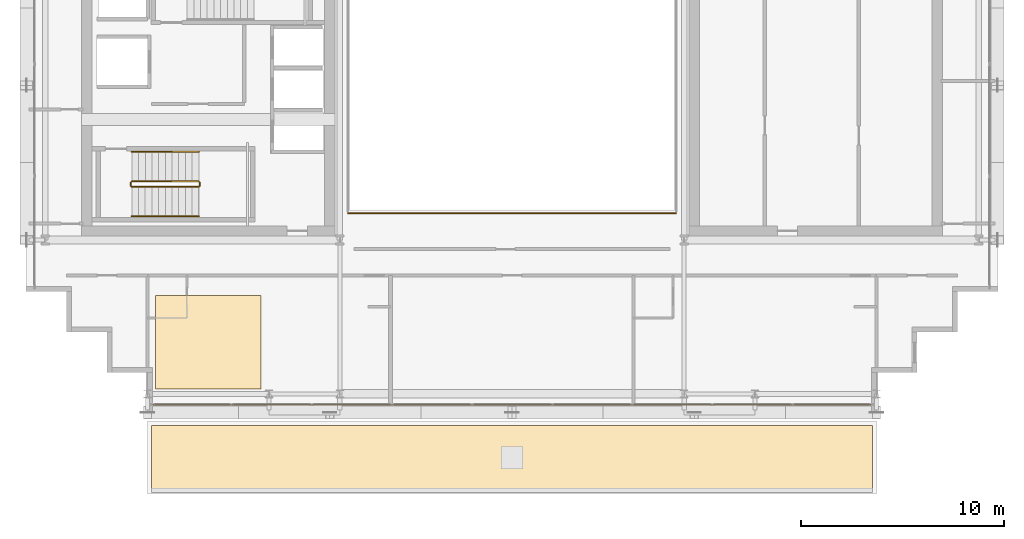
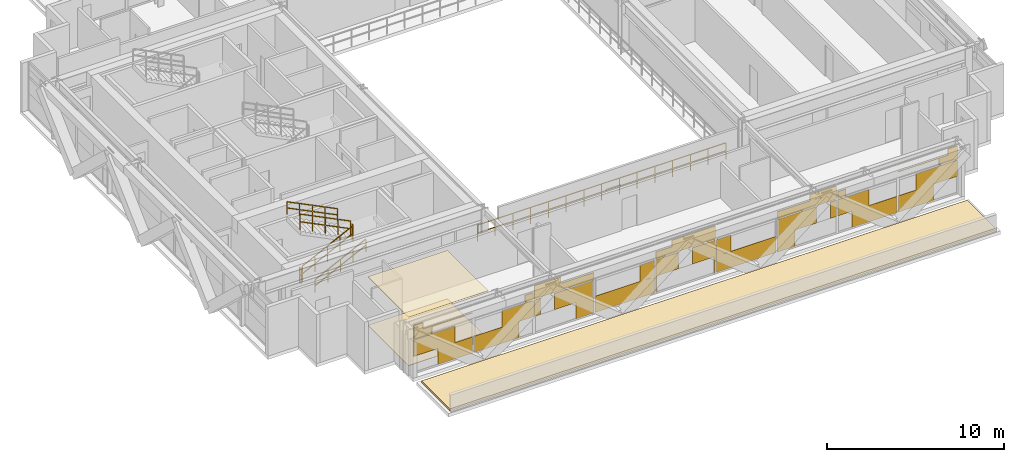
# One storey, part 31 of 34: 7 railings, 4 coverings.
"""IFC4 building model written with IfcOpenShell, lengths in metres."""

from ifc_helpers import new_model, si_unit, direction, frame, origin, origin_2d, place, context, subcontext, project, spatial, polyline, rectangle, outline, extrude, material, layer, layer_set, type_object, element, save


model = new_model("IFC4")

# Units and contexts
model_context = context("Model", 3, precision=1e-05, world=origin(), true_north=direction((0.0, 1.0)))
body_context = subcontext(model_context, "Body", "Model", "MODEL_VIEW")
ifc_project = project(units=[si_unit("LENGTHUNIT", "METRE"), si_unit("AREAUNIT", "SQUARE_METRE"), si_unit("VOLUMEUNIT", "CUBIC_METRE"), si_unit("PLANEANGLEUNIT", "RADIAN"), si_unit("MASSUNIT", "GRAM", prefix="KILO")], contexts=[model_context])

# Site, building, storey
site_placement = place(None, origin())
site = spatial("IfcSite", under=ifc_project, at=site_placement, CompositionType="ELEMENT")
building_placement = place(site_placement, origin())
building = spatial("IfcBuilding", under=site, at=building_placement, Name="Ocotamira Hotel", CompositionType="ELEMENT")
storey_placement = place(building_placement, frame((0.0, 0.0, 163.199951171875)))
storey = spatial("IfcBuildingStorey", under=building, at=storey_placement, Name="L40", CompositionType="ELEMENT", Elevation=163.199951171875)

# Coverings
ifc_material_1 = material(Name="Perforated acoustic gypsum ceiling board", Category="gypsum")
ifc_layer_1 = layer(ifc_material_1, 0.02490234375)
ifc_layer_set_1 = layer_set([ifc_layer_1], Name="Perforated acoustic gypsum ceiling board")
covering_type_1 = type_object("IfcCoveringType", Name="COV-CEIL-25", PredefinedType="CEILING", material=ifc_layer_set_1)
covering_1_placement = place(storey_placement, frame((0.0, 0.0, 3.344970703125)))
element("IfcCovering", 1, at=covering_1_placement, inside=storey, type_object=covering_type_1, Name="L40 Acoustic Ceiling", PredefinedType="CEILING", context=body_context, shape_type="SweptSolid", body=[
    extrude(outline(polyline([(14.39990234375, 7.199951171875), (19.60009765625, 7.199951171875), (19.60009765625, 11.800048828125), (14.39990234375, 11.800048828125), (14.39990234375, 7.199951171875)])), origin(), (0.0, 0.0, 1.0), 0.025146484375),
])
ifc_material_2 = material(Name="Honed desert travertine stone flooring", Category="masonry")
ifc_layer_2 = layer(ifc_material_2, 0.030029296875)
ifc_layer_set_2 = layer_set([ifc_layer_2], Name="Honed desert travertine stone flooring")
covering_type_2 = type_object("IfcCoveringType", Name="COV-FLOR-30", PredefinedType="FLOORING", material=ifc_layer_set_2)
covering_2_placement = place(storey_placement, origin())
element("IfcCovering", 2, at=covering_2_placement, inside=storey, type_object=covering_type_2, Name="L40 Honed Stone Floor Finish", PredefinedType="FLOORING", context=body_context, shape_type="SweptSolid", body=[
    extrude(outline(polyline([(14.39990234375, 7.199951171875), (19.60009765625, 7.199951171875), (19.60009765625, 11.800048828125), (14.39990234375, 11.800048828125), (14.39990234375, 7.199951171875)])), origin(), (0.0, 0.0, 1.0), 0.030029296875),
])
ifc_material_3 = material(Name="Insulated pale-metal aluminium spandrel panel", Category="aluminium")
ifc_layer_3 = layer(ifc_material_3, 0.044921875)
ifc_layer_set_3 = layer_set([ifc_layer_3], Name="Insulated pale-metal aluminium spandrel panel")
covering_type_3 = type_object("IfcCoveringType", Name="COV-INFILL-45", PredefinedType="CLADDING", material=ifc_layer_set_3)
covering_3_placement = place(storey_placement, origin())
element("IfcCovering", 3, at=covering_3_placement, inside=storey, type_object=covering_type_3, Name="L40 Curtain Wall Infill CW-4 CW-L40-S1", PredefinedType="CLADDING", context=body_context, shape_type="SweptSolid", body=[
    extrude(rectangle(XDim=2.68701171875, YDim=0.044921875, at=origin_2d()), frame((15.6240234375, 6.419921875, 1.1943359375), z_axis=(0.0, 0.0, 1.0), x_axis=(1.0, 0.0, 0.0)), (0.0, 0.0, 1.0), 1.11767578125),
    extrude(rectangle(XDim=2.26708984375, YDim=0.044921875, at=origin_2d()), frame((16.9814453125, 6.419921875, 0.07568359375), z_axis=(0.0, 0.0, 1.0), x_axis=(1.0, 0.0, 0.0)), (0.0, 0.0, 1.0), 1.117919921875),
    extrude(rectangle(XDim=1.19482421875, YDim=0.044921875, at=origin_2d()), frame((14.8779296875, 6.419921875, 2.38818359375), z_axis=(0.0, 0.0, 1.0), x_axis=(1.0, 0.0, 0.0)), (0.0, 0.0, 1.0), 0.442626953125),
    extrude(rectangle(XDim=3.834716796875, YDim=0.044921875, at=origin_2d()), frame((16.19775390625, 6.419921875, 2.83154296875), z_axis=(0.0, 0.0, 1.0), x_axis=(1.0, 0.0, 0.0)), (0.0, 0.0, 1.0), 0.0302734375),
    extrude(rectangle(XDim=0.601318359375, YDim=0.044921875, at=origin_2d()), frame((14.581298828125, 6.419921875, 2.863037109375), z_axis=(0.0, 0.0, 1.0), x_axis=(1.0, 0.0, 0.0)), (0.0, 0.0, 1.0), 0.431640625),
    extrude(rectangle(XDim=2.955810546875, YDim=0.044921875, at=origin_2d()), frame((19.674072265625, 6.419921875, 0.07568359375), z_axis=(0.0, 0.0, 1.0), x_axis=(1.0, 0.0, 0.0)), (0.0, 0.0, 1.0), 1.117919921875),
    extrude(rectangle(XDim=2.0380859375, YDim=0.044921875, at=origin_2d()), frame((21.051513671875, 6.419921875, 1.1943359375), z_axis=(0.0, 0.0, 1.0), x_axis=(1.0, 0.0, 0.0)), (0.0, 0.0, 1.0), 1.11767578125),
    extrude(rectangle(XDim=0.5458984375, YDim=0.044921875, at=origin_2d()), frame((21.797607421875, 6.419921875, 2.38818359375), z_axis=(0.0, 0.0, 1.0), x_axis=(1.0, 0.0, 0.0)), (0.0, 0.0, 1.0), 0.473876953125),
    extrude(rectangle(XDim=0.398681640625, YDim=0.044921875, at=origin_2d()), frame((22.35107421875, 6.419921875, 1.1943359375), z_axis=(0.0, 0.0, 1.0), x_axis=(1.0, 0.0, 0.0)), (0.0, 0.0, 1.0), 1.11767578125),
    extrude(rectangle(XDim=2.57666015625, YDim=0.044921875, at=origin_2d()), frame((24.73779296875, 6.419921875, 1.1943359375), z_axis=(0.0, 0.0, 1.0), x_axis=(1.0, 0.0, 0.0)), (0.0, 0.0, 1.0), 1.11767578125),
    extrude(rectangle(XDim=1.177978515625, YDim=0.044921875, at=origin_2d()), frame((25.43701171875, 6.419921875, 0.07568359375), z_axis=(0.0, 0.0, 1.0), x_axis=(1.0, 0.0, 0.0)), (0.0, 0.0, 1.0), 1.117919921875),
    extrude(rectangle(XDim=3.87451171875, YDim=0.044921875, at=origin_2d()), frame((24.0888671875, 6.419921875, 2.38818359375), z_axis=(0.0, 0.0, 1.0), x_axis=(1.0, 0.0, 0.0)), (0.0, 0.0, 1.0), 0.473876953125),
    extrude(rectangle(XDim=1.730224609375, YDim=0.044921875, at=origin_2d()), frame((23.0166015625, 6.419921875, 2.863037109375), z_axis=(0.0, 0.0, 1.0), x_axis=(1.0, 0.0, 0.0)), (0.0, 0.0, 1.0), 0.431640625),
    extrude(rectangle(XDim=3.87451171875, YDim=0.044921875, at=origin_2d()), frame((28.04443359375, 6.419921875, 0.07568359375), z_axis=(0.0, 0.0, 1.0), x_axis=(1.0, 0.0, 0.0)), (0.0, 0.0, 1.0), 1.117919921875),
    extrude(rectangle(XDim=0.94921875, YDim=0.044921875, at=origin_2d()), frame((29.507080078125, 6.419921875, 1.1943359375), z_axis=(0.0, 0.0, 1.0), x_axis=(1.0, 0.0, 0.0)), (0.0, 0.0, 1.0), 1.11767578125),
    extrude(rectangle(XDim=0.089111328125, YDim=0.044921875, at=origin_2d()), frame((30.107421875, 6.419921875, 0.07568359375), z_axis=(0.0, 0.0, 1.0), x_axis=(1.0, 0.0, 0.0)), (0.0, 0.0, 1.0), 1.117919921875),
    extrude(rectangle(XDim=1.48779296875, YDim=0.044921875, at=origin_2d()), frame((30.806640625, 6.419921875, 1.1943359375), z_axis=(0.0, 0.0, 1.0), x_axis=(1.0, 0.0, 0.0)), (0.0, 0.0, 1.0), 1.11767578125),
    extrude(rectangle(XDim=1.48779296875, YDim=0.044921875, at=origin_2d()), frame((33.193359375, 6.419921875, 1.1943359375), z_axis=(0.0, 0.0, 1.0), x_axis=(1.0, 0.0, 0.0)), (0.0, 0.0, 1.0), 1.11767578125),
    extrude(rectangle(XDim=0.089111328125, YDim=0.044921875, at=origin_2d()), frame((33.892578125, 6.419921875, 0.07568359375), z_axis=(0.0, 0.0, 1.0), x_axis=(1.0, 0.0, 0.0)), (0.0, 0.0, 1.0), 1.117919921875),
    extrude(rectangle(XDim=3.87451171875, YDim=0.044921875, at=origin_2d()), frame((32.0, 6.419921875, 2.38818359375), z_axis=(0.0, 0.0, 1.0), x_axis=(1.0, 0.0, 0.0)), (0.0, 0.0, 1.0), 0.473876953125),
    extrude(rectangle(XDim=2.819091796875, YDim=0.044921875, at=origin_2d()), frame((32.527587890625, 6.419921875, 2.863037109375), z_axis=(0.0, 0.0, 1.0), x_axis=(1.0, 0.0, 0.0)), (0.0, 0.0, 1.0), 0.431640625),
    extrude(rectangle(XDim=3.87451171875, YDim=0.044921875, at=origin_2d()), frame((35.95556640625, 6.419921875, 0.07568359375), z_axis=(0.0, 0.0, 1.0), x_axis=(1.0, 0.0, 0.0)), (0.0, 0.0, 1.0), 1.117919921875),
    extrude(rectangle(XDim=0.94921875, YDim=0.044921875, at=origin_2d()), frame((34.492919921875, 6.419921875, 1.1943359375), z_axis=(0.0, 0.0, 1.0), x_axis=(1.0, 0.0, 0.0)), (0.0, 0.0, 1.0), 1.11767578125),
    extrude(rectangle(XDim=1.177978515625, YDim=0.044921875, at=origin_2d()), frame((38.56298828125, 6.419921875, 0.07568359375), z_axis=(0.0, 0.0, 1.0), x_axis=(1.0, 0.0, 0.0)), (0.0, 0.0, 1.0), 1.117919921875),
    extrude(rectangle(XDim=2.57666015625, YDim=0.044921875, at=origin_2d()), frame((39.26220703125, 6.419921875, 1.1943359375), z_axis=(0.0, 0.0, 1.0), x_axis=(1.0, 0.0, 0.0)), (0.0, 0.0, 1.0), 1.11767578125),
    extrude(rectangle(XDim=0.398681640625, YDim=0.044921875, at=origin_2d()), frame((41.64892578125, 6.419921875, 1.1943359375), z_axis=(0.0, 0.0, 1.0), x_axis=(1.0, 0.0, 0.0)), (0.0, 0.0, 1.0), 1.11767578125),
    extrude(rectangle(XDim=3.87451171875, YDim=0.044921875, at=origin_2d()), frame((39.9111328125, 6.419921875, 2.38818359375), z_axis=(0.0, 0.0, 1.0), x_axis=(1.0, 0.0, 0.0)), (0.0, 0.0, 1.0), 0.473876953125),
    extrude(rectangle(XDim=1.730224609375, YDim=0.044921875, at=origin_2d()), frame((40.9833984375, 6.419921875, 2.863037109375), z_axis=(0.0, 0.0, 1.0), x_axis=(1.0, 0.0, 0.0)), (0.0, 0.0, 1.0), 0.431640625),
    extrude(rectangle(XDim=2.0380859375, YDim=0.044921875, at=origin_2d()), frame((42.948486328125, 6.419921875, 1.1943359375), z_axis=(0.0, 0.0, 1.0), x_axis=(1.0, 0.0, 0.0)), (0.0, 0.0, 1.0), 1.11767578125),
    extrude(rectangle(XDim=2.955810546875, YDim=0.044921875, at=origin_2d()), frame((44.325927734375, 6.419921875, 0.07568359375), z_axis=(0.0, 0.0, 1.0), x_axis=(1.0, 0.0, 0.0)), (0.0, 0.0, 1.0), 1.117919921875),
    extrude(rectangle(XDim=0.5458984375, YDim=0.044921875, at=origin_2d()), frame((42.202392578125, 6.419921875, 2.38818359375), z_axis=(0.0, 0.0, 1.0), x_axis=(1.0, 0.0, 0.0)), (0.0, 0.0, 1.0), 0.473876953125),
    extrude(rectangle(XDim=2.26708984375, YDim=0.044921875, at=origin_2d()), frame((47.0185546875, 6.419921875, 0.07568359375), z_axis=(0.0, 0.0, 1.0), x_axis=(1.0, 0.0, 0.0)), (0.0, 0.0, 1.0), 1.117919921875),
    extrude(rectangle(XDim=2.68701171875, YDim=0.044921875, at=origin_2d()), frame((48.3759765625, 6.419921875, 1.1943359375), z_axis=(0.0, 0.0, 1.0), x_axis=(1.0, 0.0, 0.0)), (0.0, 0.0, 1.0), 1.11767578125),
    extrude(rectangle(XDim=3.834716796875, YDim=0.044921875, at=origin_2d()), frame((47.80224609375, 6.419921875, 2.83154296875), z_axis=(0.0, 0.0, 1.0), x_axis=(1.0, 0.0, 0.0)), (0.0, 0.0, 1.0), 0.0302734375),
    extrude(rectangle(XDim=1.19482421875, YDim=0.044921875, at=origin_2d()), frame((49.1220703125, 6.419921875, 2.38818359375), z_axis=(0.0, 0.0, 1.0), x_axis=(1.0, 0.0, 0.0)), (0.0, 0.0, 1.0), 0.442626953125),
    extrude(rectangle(XDim=0.601318359375, YDim=0.044921875, at=origin_2d()), frame((49.418701171875, 6.419921875, 2.863037109375), z_axis=(0.0, 0.0, 1.0), x_axis=(1.0, 0.0, 0.0)), (0.0, 0.0, 1.0), 0.431640625),
])
ifc_material_4 = material(Name="High-albedo cool-roof elastomeric membrane and polyiso insulation", Category="concrete")
ifc_layer_4 = layer(ifc_material_4, 0.139892578125)
ifc_layer_set_4 = layer_set([ifc_layer_4], Name="High-albedo cool-roof elastomeric membrane and polyiso insulation")
covering_type_4 = type_object("IfcCoveringType", Name="COV-ROOF-140", PredefinedType="ROOFING", material=ifc_layer_set_4)
covering_4_placement = place(storey_placement, origin())
element("IfcCovering", 4, at=covering_4_placement, inside=storey, type_object=covering_type_4, Name="L40 Cool-Roof Membrane Z3S", PredefinedType="ROOFING", context=body_context, shape_type="SweptSolid", body=[
    extrude(outline(polyline([(14.199951171875, 2.199951171875), (49.800048828125, 2.199951171875), (49.800048828125, 5.39990234375), (14.199951171875, 5.39990234375), (14.199951171875, 2.199951171875)])), origin(), (0.0, 0.0, 1.0), 0.14013671875),
])

# Railings
ifc_material_5 = material(Name="Painted steel stair guardrail", Category="steel")
railing_type_1 = type_object("IfcRailingType", Name="RL-EDGE-1150", PredefinedType="GUARDRAIL", material=ifc_material_5)
railing_1_placement = place(storey_placement, frame((23.89990234375, 15.8798828125, 0.0)))
element("IfcRailing", 5, at=railing_1_placement, inside=storey, type_object=railing_type_1, Name="L40 Central Atrium Edge Guardrail S", PredefinedType="GUARDRAIL", context=body_context, shape_type="SweptSolid", body=[
    extrude(rectangle(XDim=0.048095703125, YDim=0.048095703125, at=origin_2d()), frame((0.0, 0.0, 1.1259765625), z_axis=(1.0, 0.0, 0.0), x_axis=(0.0, 1.0, 0.0)), (0.0, 0.0, 1.0), 16.2001953125),
    extrude(rectangle(XDim=0.048095703125, YDim=0.048095703125, at=origin_2d()), frame((0.0, 0.0, 0.574951171875), z_axis=(1.0, 0.0, 0.0), x_axis=(0.0, 1.0, 0.0)), (0.0, 0.0, 1.0), 16.2001953125),
    extrude(rectangle(XDim=0.0419921875, YDim=0.0419921875, at=origin_2d()), origin(), (0.0, 0.0, 1.0), 1.101806640625),
    extrude(rectangle(XDim=0.0419921875, YDim=0.0419921875, at=origin_2d()), frame((1.1572265625, 0.0, 0.0)), (0.0, 0.0, 1.0), 1.101806640625),
    extrude(rectangle(XDim=0.0419921875, YDim=0.0419921875, at=origin_2d()), frame((2.314208984375, 0.0, 0.0)), (0.0, 0.0, 1.0), 1.101806640625),
    extrude(rectangle(XDim=0.0419921875, YDim=0.0419921875, at=origin_2d()), frame((3.471435546875, 0.0, 0.0)), (0.0, 0.0, 1.0), 1.101806640625),
    extrude(rectangle(XDim=0.0419921875, YDim=0.0419921875, at=origin_2d()), frame((4.628662109375, 0.0, 0.0)), (0.0, 0.0, 1.0), 1.101806640625),
    extrude(rectangle(XDim=0.0419921875, YDim=0.0419921875, at=origin_2d()), frame((5.785888671875, 0.0, 0.0)), (0.0, 0.0, 1.0), 1.101806640625),
    extrude(rectangle(XDim=0.0419921875, YDim=0.0419921875, at=origin_2d()), frame((6.94287109375, 0.0, 0.0)), (0.0, 0.0, 1.0), 1.101806640625),
    extrude(rectangle(XDim=0.0419921875, YDim=0.0419921875, at=origin_2d()), frame((8.10009765625, 0.0, 0.0)), (0.0, 0.0, 1.0), 1.101806640625),
    extrude(rectangle(XDim=0.0419921875, YDim=0.0419921875, at=origin_2d()), frame((9.25732421875, 0.0, 0.0)), (0.0, 0.0, 1.0), 1.101806640625),
    extrude(rectangle(XDim=0.0419921875, YDim=0.0419921875, at=origin_2d()), frame((10.414306640625, 0.0, 0.0)), (0.0, 0.0, 1.0), 1.101806640625),
    extrude(rectangle(XDim=0.0419921875, YDim=0.0419921875, at=origin_2d()), frame((11.571533203125, 0.0, 0.0)), (0.0, 0.0, 1.0), 1.101806640625),
    extrude(rectangle(XDim=0.0419921875, YDim=0.0419921875, at=origin_2d()), frame((12.728759765625, 0.0, 0.0)), (0.0, 0.0, 1.0), 1.101806640625),
    extrude(rectangle(XDim=0.0419921875, YDim=0.0419921875, at=origin_2d()), frame((13.885986328125, 0.0, 0.0)), (0.0, 0.0, 1.0), 1.101806640625),
    extrude(rectangle(XDim=0.0419921875, YDim=0.0419921875, at=origin_2d()), frame((15.04296875, 0.0, 0.0)), (0.0, 0.0, 1.0), 1.101806640625),
    extrude(rectangle(XDim=0.0419921875, YDim=0.0419921875, at=origin_2d()), frame((16.2001953125, 0.0, 0.0)), (0.0, 0.0, 1.0), 1.101806640625),
])
ifc_material_6 = material(Name="Brushed stainless steel handrail", Category="steel")
railing_type_2 = type_object("IfcRailingType", Name="RL-HAND-900", PredefinedType="HANDRAIL", material=ifc_material_6)
railing_2_placement = place(storey_placement, frame((13.22998046875, 15.719970703125, 0.327392578125)))
element("IfcRailing", 6, at=railing_2_placement, inside=storey, type_object=railing_type_2, Name="L40 ST-1 stair handrail 1", PredefinedType="HANDRAIL", context=body_context, shape_type="SweptSolid", body=[
    extrude(rectangle(XDim=0.048095703125, YDim=0.048095703125, at=origin_2d()), frame((0.0, 0.0, 0.8759765625), z_axis=(0.895920123917, 0.0, 0.444215186098), x_axis=(0.0, 1.0, 0.0)), (0.0, 0.0, 1.0), 3.683349609375),
    extrude(rectangle(XDim=0.048095703125, YDim=0.048095703125, at=origin_2d()), frame((0.0, 0.0, 0.449951171875), z_axis=(0.895920123917, 0.0, 0.444215186098), x_axis=(0.0, 1.0, 0.0)), (0.0, 0.0, 1.0), 3.683349609375),
    extrude(rectangle(XDim=0.0419921875, YDim=0.0419921875, at=origin_2d()), origin(), (0.0, 0.0, 1.0), 0.851806640625),
    extrude(rectangle(XDim=0.0419921875, YDim=0.0419921875, at=origin_2d()), frame((0.824951171875, 0.0, 0.4091796875)), (0.0, 0.0, 1.0), 0.851806640625),
    extrude(rectangle(XDim=0.0419921875, YDim=0.0419921875, at=origin_2d()), frame((1.64990234375, 0.0, 0.818115234375)), (0.0, 0.0, 1.0), 0.851806640625),
    extrude(rectangle(XDim=0.0419921875, YDim=0.0419921875, at=origin_2d()), frame((2.47509765625, 0.0, 1.22705078125)), (0.0, 0.0, 1.0), 0.851806640625),
    extrude(rectangle(XDim=0.0419921875, YDim=0.0419921875, at=origin_2d()), frame((3.300048828125, 0.0, 1.63623046875)), (0.0, 0.0, 1.0), 0.851806640625),
])
railing_3_placement = place(storey_placement, frame((16.530029296875, 18.89990234375, 2.12744140625)))
element("IfcRailing", 7, at=railing_3_placement, inside=storey, type_object=railing_type_2, Name="L40 ST-1 stair handrail 2", PredefinedType="HANDRAIL", context=body_context, shape_type="SweptSolid", body=[
    extrude(rectangle(XDim=0.048095703125, YDim=0.048095703125, at=origin_2d()), frame((0.0, 0.0, 0.8759765625), z_axis=(-0.895920123917, 0.0, 0.444215186098), x_axis=(0.0, -1.0, 0.0)), (0.0, 0.0, 1.0), 3.683349609375),
    extrude(rectangle(XDim=0.048095703125, YDim=0.048095703125, at=origin_2d()), frame((0.0, 0.0, 0.449951171875), z_axis=(-0.895920123917, 0.0, 0.444215186098), x_axis=(0.0, -1.0, 0.0)), (0.0, 0.0, 1.0), 3.683349609375),
    extrude(rectangle(XDim=0.0419921875, YDim=0.0419921875, at=origin_2d()), origin(), (0.0, 0.0, 1.0), 0.851806640625),
    extrude(rectangle(XDim=0.0419921875, YDim=0.0419921875, at=origin_2d()), frame((-0.824951171875, 0.0, 0.4091796875)), (0.0, 0.0, 1.0), 0.851806640625),
    extrude(rectangle(XDim=0.0419921875, YDim=0.0419921875, at=origin_2d()), frame((-1.64990234375, 0.0, 0.818115234375)), (0.0, 0.0, 1.0), 0.851806640625),
    extrude(rectangle(XDim=0.0419921875, YDim=0.0419921875, at=origin_2d()), frame((-2.47509765625, 0.0, 1.22705078125)), (0.0, 0.0, 1.0), 0.851806640625),
    extrude(rectangle(XDim=0.0419921875, YDim=0.0419921875, at=origin_2d()), frame((-3.300048828125, 0.0, 1.63623046875)), (0.0, 0.0, 1.0), 0.851806640625),
])
railing_type_3 = type_object("IfcRailingType", Name="RL-STAIR-1100", PredefinedType="GUARDRAIL", material=ifc_material_5)
railing_4_placement = place(storey_placement, frame((13.22998046875, 17.179931640625, 0.16357421875)))
element("IfcRailing", 8, at=railing_4_placement, inside=storey, type_object=railing_type_3, Name="L40 ST-1 stair guard 1", PredefinedType="GUARDRAIL", context=body_context, shape_type="SweptSolid", body=[
    extrude(rectangle(XDim=0.048095703125, YDim=0.048095703125, at=origin_2d()), frame((0.0, 0.0, 1.076171875), z_axis=(0.895893744519, 0.0, 0.4442683857), x_axis=(0.0, 1.0, 0.0)), (0.0, 0.0, 1.0), 3.68359375),
    extrude(rectangle(XDim=0.048095703125, YDim=0.048095703125, at=origin_2d()), frame((0.0, 0.0, 0.550048828125), z_axis=(0.895893744519, 0.0, 0.4442683857), x_axis=(0.0, 1.0, 0.0)), (0.0, 0.0, 1.0), 3.68359375),
    extrude(rectangle(XDim=0.0419921875, YDim=0.0419921875, at=origin_2d()), origin(), (0.0, 0.0, 1.0), 1.052001953125),
    extrude(rectangle(XDim=0.0419921875, YDim=0.0419921875, at=origin_2d()), frame((0.824951171875, 0.0, 0.4091796875)), (0.0, 0.0, 1.0), 1.052001953125),
    extrude(rectangle(XDim=0.0419921875, YDim=0.0419921875, at=origin_2d()), frame((1.64990234375, 0.0, 0.818359375)), (0.0, 0.0, 1.0), 1.052001953125),
    extrude(rectangle(XDim=0.0419921875, YDim=0.0419921875, at=origin_2d()), frame((2.47509765625, 0.0, 1.227294921875)), (0.0, 0.0, 1.0), 1.052001953125),
    extrude(rectangle(XDim=0.0419921875, YDim=0.0419921875, at=origin_2d()), frame((3.300048828125, 0.0, 1.636474609375)), (0.0, 0.0, 1.0), 1.052001953125),
])
railing_5_placement = place(storey_placement, frame((16.580078125, 17.22998046875, 1.800048828125)))
element("IfcRailing", 9, at=railing_5_placement, inside=storey, type_object=railing_type_3, Name="L40 ST-1 stair guard 2", PredefinedType="GUARDRAIL", context=body_context, shape_type="SweptSolid", body=[
    extrude(rectangle(XDim=0.048095703125, YDim=0.048095703125, at=origin_2d()), frame((0.0, 0.0, 1.076171875), z_axis=(0.0, 1.0, 0.0), x_axis=(-1.0, 0.0, 0.0)), (0.0, 0.0, 1.0), 0.159912109375),
    extrude(rectangle(XDim=0.048095703125, YDim=0.048095703125, at=origin_2d()), frame((0.0, 0.0, 0.550048828125), z_axis=(0.0, 1.0, 0.0), x_axis=(-1.0, 0.0, 0.0)), (0.0, 0.0, 1.0), 0.159912109375),
    extrude(rectangle(XDim=0.0419921875, YDim=0.0419921875, at=origin_2d()), origin(), (0.0, 0.0, 1.0), 1.052001953125),
    extrude(rectangle(XDim=0.0419921875, YDim=0.0419921875, at=origin_2d()), frame((0.0, 0.159912109375, 0.0)), (0.0, 0.0, 1.0), 1.052001953125),
])
railing_6_placement = place(storey_placement, frame((16.530029296875, 17.43994140625, 1.963623046875)))
element("IfcRailing", 10, at=railing_6_placement, inside=storey, type_object=railing_type_3, Name="L40 ST-1 stair guard 3", PredefinedType="GUARDRAIL", context=body_context, shape_type="SweptSolid", body=[
    extrude(rectangle(XDim=0.048095703125, YDim=0.048095703125, at=origin_2d()), frame((0.0, 0.0, 1.076171875), z_axis=(-0.895893744519, 0.0, 0.4442683857), x_axis=(0.0, -1.0, 0.0)), (0.0, 0.0, 1.0), 3.68359375),
    extrude(rectangle(XDim=0.048095703125, YDim=0.048095703125, at=origin_2d()), frame((0.0, 0.0, 0.550048828125), z_axis=(-0.895893744519, 0.0, 0.4442683857), x_axis=(0.0, -1.0, 0.0)), (0.0, 0.0, 1.0), 3.68359375),
    extrude(rectangle(XDim=0.0419921875, YDim=0.0419921875, at=origin_2d()), origin(), (0.0, 0.0, 1.0), 1.052001953125),
    extrude(rectangle(XDim=0.0419921875, YDim=0.0419921875, at=origin_2d()), frame((-0.824951171875, 0.0, 0.4091796875)), (0.0, 0.0, 1.0), 1.052001953125),
    extrude(rectangle(XDim=0.0419921875, YDim=0.0419921875, at=origin_2d()), frame((-1.64990234375, 0.0, 0.818359375)), (0.0, 0.0, 1.0), 1.052001953125),
    extrude(rectangle(XDim=0.0419921875, YDim=0.0419921875, at=origin_2d()), frame((-2.47509765625, 0.0, 1.227294921875)), (0.0, 0.0, 1.0), 1.052001953125),
    extrude(rectangle(XDim=0.0419921875, YDim=0.0419921875, at=origin_2d()), frame((-3.300048828125, 0.0, 1.636474609375)), (0.0, 0.0, 1.0), 1.052001953125),
])
railing_7_placement = place(storey_placement, frame((13.179931640625, 17.22998046875, 0.0)))
element("IfcRailing", 11, at=railing_7_placement, inside=storey, type_object=railing_type_3, Name="L40 ST-1 stair guard 4", PredefinedType="GUARDRAIL", context=body_context, shape_type="SweptSolid", body=[
    extrude(rectangle(XDim=0.048095703125, YDim=0.048095703125, at=origin_2d()), frame((0.0, 0.0, 1.076171875), z_axis=(0.0, 1.0, 0.0), x_axis=(-1.0, 0.0, 0.0)), (0.0, 0.0, 1.0), 0.159912109375),
    extrude(rectangle(XDim=0.048095703125, YDim=0.048095703125, at=origin_2d()), frame((0.0, 0.0, 0.550048828125), z_axis=(0.0, 1.0, 0.0), x_axis=(-1.0, 0.0, 0.0)), (0.0, 0.0, 1.0), 0.159912109375),
    extrude(rectangle(XDim=0.0419921875, YDim=0.0419921875, at=origin_2d()), origin(), (0.0, 0.0, 1.0), 1.052001953125),
    extrude(rectangle(XDim=0.0419921875, YDim=0.0419921875, at=origin_2d()), frame((0.0, 0.159912109375, 0.0)), (0.0, 0.0, 1.0), 1.052001953125),
])

save(model, "model.ifc")
